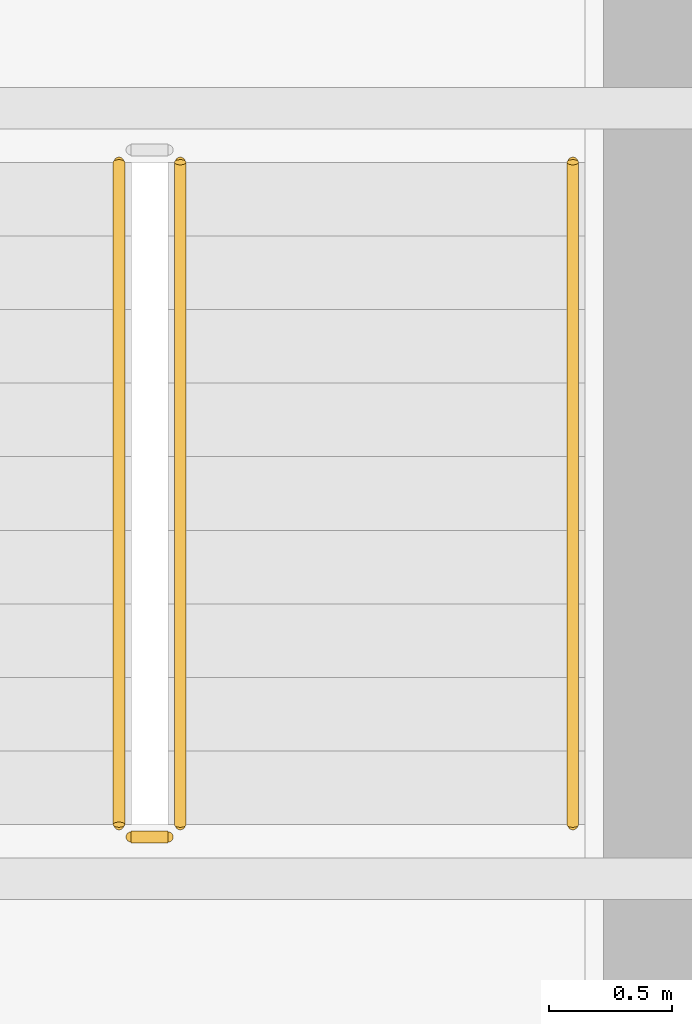
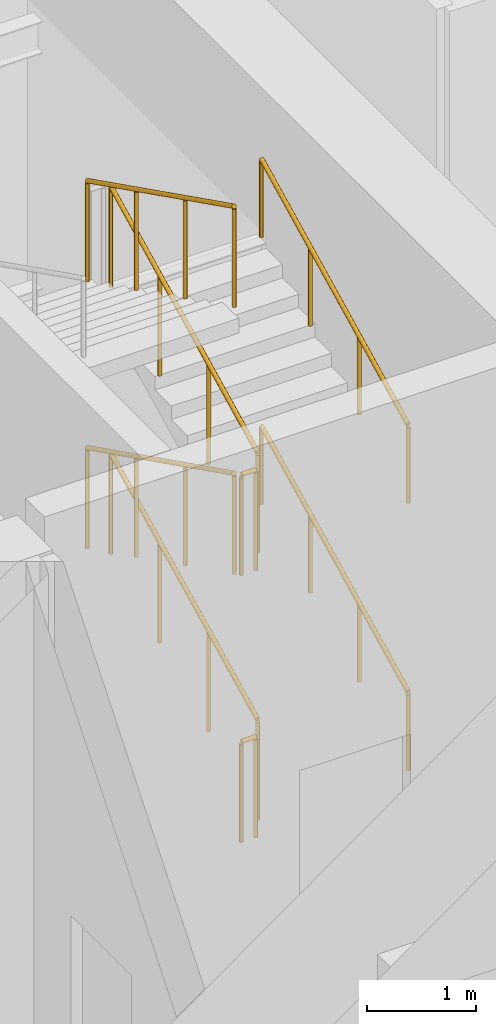
# One storey, part 33 of 38: 8 railings.
"""IFC4 building model written with IfcOpenShell, lengths in metres."""

from ifc_helpers import new_model, si_unit, direction, frame, origin, origin_2d, place, context, subcontext, project, spatial, circle, extrude, material, type_object, element, save


model = new_model("IFC4")

# Units and contexts
model_context = context("Model", 3, precision=1e-05, world=origin(), true_north=direction((0.0, 1.0)))
body_context = subcontext(model_context, "Body", "Model", "MODEL_VIEW")
ifc_project = project(units=[si_unit("LENGTHUNIT", "METRE"), si_unit("AREAUNIT", "SQUARE_METRE"), si_unit("VOLUMEUNIT", "CUBIC_METRE"), si_unit("PLANEANGLEUNIT", "RADIAN"), si_unit("MASSUNIT", "GRAM", prefix="KILO")], contexts=[model_context])

# Site, building, storey
site_placement = place(None, origin())
site = spatial("IfcSite", under=ifc_project, at=site_placement, CompositionType="ELEMENT")
building_placement = place(site_placement, origin())
building = spatial("IfcBuilding", under=site, at=building_placement, Name="Punatoya Terracotta Tower", CompositionType="ELEMENT")
storey_placement = place(building_placement, frame((0.0, 0.0, 22.199951171875)))
storey = spatial("IfcBuildingStorey", under=building, at=storey_placement, Name="L04", CompositionType="ELEMENT", Elevation=22.199951171875)

# Railings
ifc_material = material(Name="Steel S355", Category="steel")
railing_type_1 = type_object("IfcRailingType", Name="RLG-GRD-1150", PredefinedType="GUARDRAIL", material=ifc_material)
railing_1_placement = place(storey_placement, frame((8.10009765625, -3.800048828125, 0.150146484375)))
element("IfcRailing", 1, at=railing_1_placement, inside=storey, type_object=railing_type_1, Name="L04 ST-2 stair guard 1", PredefinedType="GUARDRAIL", context=body_context, shape_type="SweptSolid", body=[
    extrude(circle(Radius=0.02392578125, at=origin_2d()), frame((0.0, 0.0, 1.1259765625), z_axis=(0.0, 0.89444336626, 0.447181243517), x_axis=(-1.0, 0.0, 0.0)), (0.0, 0.0, 1.0), 3.0185546875),
    extrude(circle(Radius=0.02099609375, at=origin_2d()), origin(), (0.0, 0.0, 1.0), 1.101806640625),
    extrude(circle(Radius=0.02099609375, at=origin_2d()), frame((0.0, 0.89990234375, 0.449951171875)), (0.0, 0.0, 1.0), 1.101806640625),
    extrude(circle(Radius=0.02099609375, at=origin_2d()), frame((0.0, 1.800048828125, 0.89990234375)), (0.0, 0.0, 1.0), 1.101806640625),
    extrude(circle(Radius=0.02099609375, at=origin_2d()), frame((0.0, 2.699951171875, 1.349853515625)), (0.0, 0.0, 1.0), 1.101806640625),
])
railing_2_placement = place(storey_placement, frame((7.85009765625, -1.10009765625, 1.650146484375)))
element("IfcRailing", 2, at=railing_2_placement, inside=storey, type_object=railing_type_1, Name="L04 ST-2 stair guard 3", PredefinedType="GUARDRAIL", context=body_context, shape_type="SweptSolid", body=[
    extrude(circle(Radius=0.02392578125, at=origin_2d()), frame((0.0, 0.0, 1.1259765625), z_axis=(0.0, -0.89444336626, 0.447181243517), x_axis=(1.0, 0.0, 0.0)), (0.0, 0.0, 1.0), 3.0185546875),
    extrude(circle(Radius=0.02099609375, at=origin_2d()), origin(), (0.0, 0.0, 1.0), 1.101806640625),
    extrude(circle(Radius=0.02099609375, at=origin_2d()), frame((0.0, -0.89990234375, 0.449951171875)), (0.0, 0.0, 1.0), 1.101806640625),
    extrude(circle(Radius=0.02099609375, at=origin_2d()), frame((0.0, -1.800048828125, 0.89990234375)), (0.0, 0.0, 1.0), 1.101806640625),
    extrude(circle(Radius=0.02099609375, at=origin_2d()), frame((0.0, -2.699951171875, 1.349853515625)), (0.0, 0.0, 1.0), 1.101806640625),
])
railing_3_placement = place(storey_placement, frame((8.050048828125, -3.85009765625, 3.0)))
element("IfcRailing", 3, at=railing_3_placement, inside=storey, type_object=railing_type_1, Name="L04 ST-2 stair guard 4", PredefinedType="GUARDRAIL", context=body_context, shape_type="SweptSolid", body=[
    extrude(circle(Radius=0.02392578125, at=origin_2d()), frame((0.0, 0.0, 1.1259765625), z_axis=(-1.0, 0.0, 0.0), x_axis=(0.0, -1.0, 0.0)), (0.0, 0.0, 1.0), 0.150146484375),
    extrude(circle(Radius=0.02099609375, at=origin_2d()), origin(), (0.0, 0.0, 1.0), 1.101806640625),
    extrude(circle(Radius=0.02099609375, at=origin_2d()), frame((-0.150146484375, 0.0, 0.0)), (0.0, 0.0, 1.0), 1.101806640625),
])
railing_4_placement = place(storey_placement, frame((8.10009765625, -3.800048828125, 3.150146484375)))
element("IfcRailing", 4, at=railing_4_placement, inside=storey, type_object=railing_type_1, Name="L04 ST-2 stair guard 5", PredefinedType="GUARDRAIL", context=body_context, shape_type="SweptSolid", body=[
    extrude(circle(Radius=0.02392578125, at=origin_2d()), frame((0.0, 0.0, 1.1259765625), z_axis=(0.0, 0.89444336626, 0.447181243517), x_axis=(-1.0, 0.0, 0.0)), (0.0, 0.0, 1.0), 3.0185546875),
    extrude(circle(Radius=0.02099609375, at=origin_2d()), origin(), (0.0, 0.0, 1.0), 1.101806640625),
    extrude(circle(Radius=0.02099609375, at=origin_2d()), frame((0.0, 0.89990234375, 0.449951171875)), (0.0, 0.0, 1.0), 1.101806640625),
    extrude(circle(Radius=0.02099609375, at=origin_2d()), frame((0.0, 1.800048828125, 0.89990234375)), (0.0, 0.0, 1.0), 1.101806640625),
    extrude(circle(Radius=0.02099609375, at=origin_2d()), frame((0.0, 2.699951171875, 1.349853515625)), (0.0, 0.0, 1.0), 1.101806640625),
])
railing_5_placement = place(storey_placement, frame((7.85009765625, -1.10009765625, 4.650146484375)))
element("IfcRailing", 5, at=railing_5_placement, inside=storey, type_object=railing_type_1, Name="L04 ST-2 stair guard 7", PredefinedType="GUARDRAIL", context=body_context, shape_type="SweptSolid", body=[
    extrude(circle(Radius=0.02392578125, at=origin_2d()), frame((0.0, 0.0, 1.1259765625), z_axis=(0.0, -0.89444336626, 0.447181243517), x_axis=(1.0, 0.0, 0.0)), (0.0, 0.0, 1.0), 3.0185546875),
    extrude(circle(Radius=0.02099609375, at=origin_2d()), origin(), (0.0, 0.0, 1.0), 1.101806640625),
    extrude(circle(Radius=0.02099609375, at=origin_2d()), frame((0.0, -0.89990234375, 0.449951171875)), (0.0, 0.0, 1.0), 1.101806640625),
    extrude(circle(Radius=0.02099609375, at=origin_2d()), frame((0.0, -1.800048828125, 0.89990234375)), (0.0, 0.0, 1.0), 1.101806640625),
    extrude(circle(Radius=0.02099609375, at=origin_2d()), frame((0.0, -2.699951171875, 1.349853515625)), (0.0, 0.0, 1.0), 1.101806640625),
])
railing_6_placement = place(storey_placement, frame((8.050048828125, -3.85009765625, 0.0)))
element("IfcRailing", 6, at=railing_6_placement, inside=storey, type_object=railing_type_1, Name="L04 ST-2 stair guard 8", PredefinedType="GUARDRAIL", context=body_context, shape_type="SweptSolid", body=[
    extrude(circle(Radius=0.02392578125, at=origin_2d()), frame((0.0, 0.0, 1.1259765625), z_axis=(-1.0, 0.0, 0.0), x_axis=(0.0, -1.0, 0.0)), (0.0, 0.0, 1.0), 0.150146484375),
    extrude(circle(Radius=0.02099609375, at=origin_2d()), origin(), (0.0, 0.0, 1.0), 1.101806640625),
    extrude(circle(Radius=0.02099609375, at=origin_2d()), frame((-0.150146484375, 0.0, 0.0)), (0.0, 0.0, 1.0), 1.101806640625),
])
railing_type_2 = type_object("IfcRailingType", Name="RLG-HND-900", PredefinedType="HANDRAIL", material=ifc_material)
for number, where, name in (
    (7, (9.699951171875, -3.800048828125, 0.150146484375), "L04 ST-2 stair handrail 1"),
    (8, (9.699951171875, -3.800048828125, 3.150146484375), "L04 ST-2 stair handrail 3"),
):
    element("IfcRailing", number, at=place(storey_placement, frame(where)), inside=storey, type_object=railing_type_2, Name=name, PredefinedType="HANDRAIL", context=body_context, shape_type="SweptSolid", body=[
        extrude(circle(Radius=0.02392578125, at=origin_2d()), frame((0.0, 0.0, 0.8759765625), z_axis=(0.0, 0.89444336626, 0.447181243517), x_axis=(-1.0, 0.0, 0.0)), (0.0, 0.0, 1.0), 3.0185546875),
        extrude(circle(Radius=0.02099609375, at=origin_2d()), origin(), (0.0, 0.0, 1.0), 0.851806640625),
        extrude(circle(Radius=0.02099609375, at=origin_2d()), frame((0.0, 0.89990234375, 0.449951171875)), (0.0, 0.0, 1.0), 0.851806640625),
        extrude(circle(Radius=0.02099609375, at=origin_2d()), frame((0.0, 1.800048828125, 0.89990234375)), (0.0, 0.0, 1.0), 0.851806640625),
        extrude(circle(Radius=0.02099609375, at=origin_2d()), frame((0.0, 2.699951171875, 1.349853515625)), (0.0, 0.0, 1.0), 0.851806640625),
    ])

save(model, "model.ifc")
